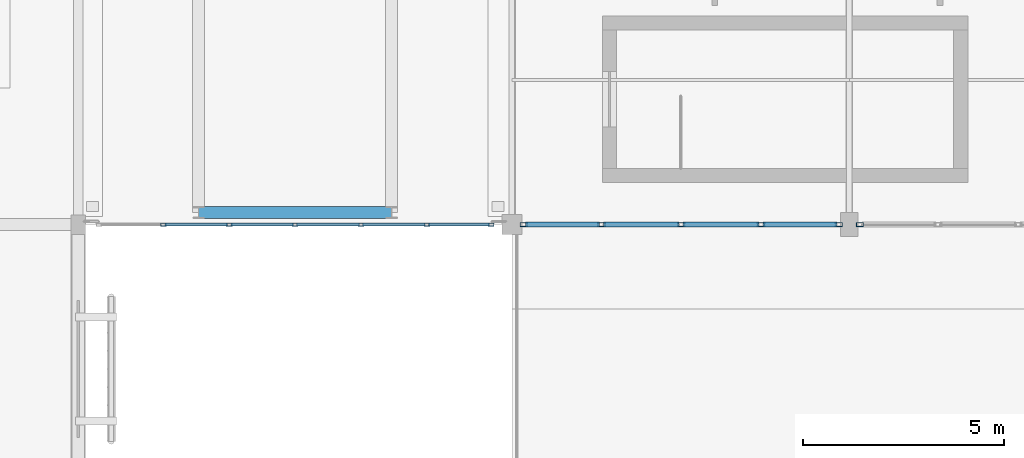
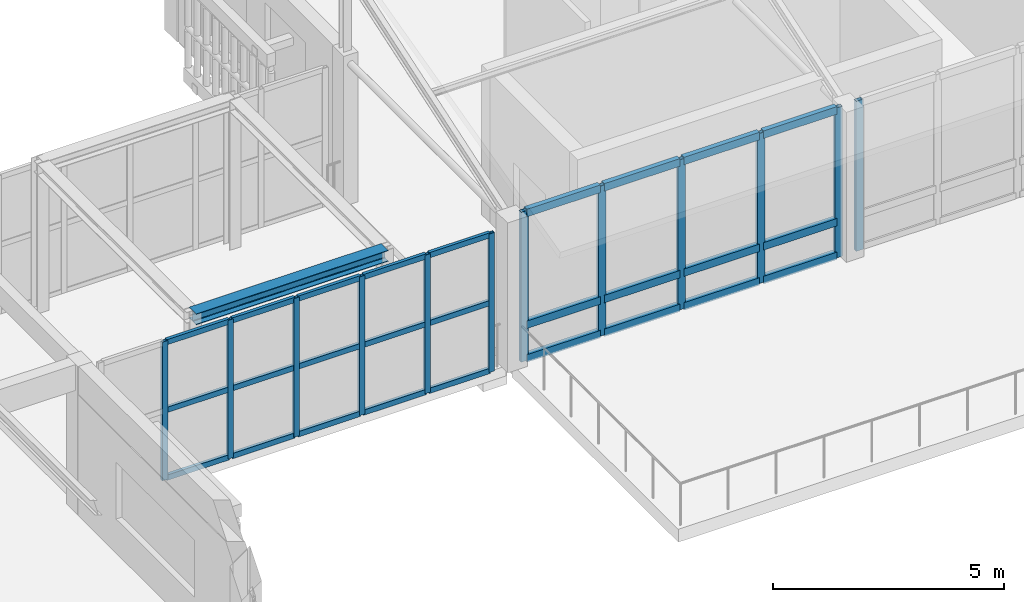
# One storey, part 18 of 112: 39 members, 1 beam, 3 elements without a shape of their own.
"""IFC4 building model written with IfcOpenShell, lengths in metres."""

from ifc_helpers import new_model, si_unit, direction, frame, origin, origin_2d, place, context, subcontext, project, spatial, hollow_rectangle, i_section, extrude, material, layer, layer_set, material_profile, profile_set, type_object, element, aggregate, save


model = new_model("IFC4")

# Units and contexts
model_context = context("Model", 3, precision=1e-05, world=origin(), true_north=direction((0.0, 1.0)))
body_context = subcontext(model_context, "Body", "Model", "MODEL_VIEW")
ifc_project = project(units=[si_unit("LENGTHUNIT", "METRE"), si_unit("AREAUNIT", "SQUARE_METRE"), si_unit("VOLUMEUNIT", "CUBIC_METRE"), si_unit("PLANEANGLEUNIT", "RADIAN"), si_unit("MASSUNIT", "GRAM", prefix="KILO")], contexts=[model_context])

# Site, building, storey
site_placement = place(None, origin())
site = spatial("IfcSite", under=ifc_project, at=site_placement, CompositionType="ELEMENT")
building_placement = place(site_placement, origin())
building = spatial("IfcBuilding", under=site, at=building_placement, Name="Mazaris Harbour Polytechnic", CompositionType="ELEMENT")
storey_placement = place(building_placement, frame((0.0, 0.0, 13.800048828125)))
storey = spatial("IfcBuildingStorey", under=building, at=storey_placement, Name="L03", CompositionType="ELEMENT", Elevation=13.800048828125)

# Curtain wall, members
ifc_material_1 = material(Name="Anodised Bronze Aluminium and Low-E Glass", Category="aluminium")
ifc_layer_1 = layer(ifc_material_1, 0.179931640625, Name="Anodised Bronze Aluminium and Low-E Glass")
ifc_layer_set_1 = layer_set([ifc_layer_1], Name="Anodised Bronze Aluminium and Low-E Glass")
curtain_wall_type_1 = type_object("IfcCurtainWallType", Name="Harbour Colonnade Curtain Wall", PredefinedType="NOTDEFINED", material=ifc_layer_set_1)
curtain_wall_1_placement = place(storey_placement, origin())
curtain_wall_1 = element("IfcCurtainWall", 1, at=curtain_wall_1_placement, inside=storey, type_object=curtain_wall_type_1, Name="V3 L03 Curtain Wall 90", PredefinedType="NOTDEFINED")
ifc_material_2 = material(Name="Anodised Bronze Steel S355", Category="steel")
ifc_material_profile_1 = material_profile(ifc_material_2, hollow_rectangle(XDim=0.10009765625, YDim=0.179931640625, WallThickness=0.008056640625, at=origin_2d()), Name="RHS 100x180x8.0")
ifc_profile_set_1 = profile_set([ifc_material_profile_1], Name="Anodised Bronze Steel S355")
member_type_1 = type_object("IfcMemberType", Name="Curtain Mullion RHS100x180", PredefinedType="MULLION", material=ifc_profile_set_1)
member_1_placement = place(storey_placement, frame((62.137939453125, 21.60009765625, 0.0), z_axis=(0.0, 0.0, 1.0), x_axis=(0.0, -1.0, 0.0)))
member_1 = element("IfcMember", 2, at=member_1_placement, type_object=member_type_1, Name="CW-01 mullion 1", PredefinedType="MULLION", context=body_context, shape_type="SweptSolid", body=[
    extrude(hollow_rectangle(XDim=0.10009765625, YDim=0.179931640625, WallThickness=0.008056640625, at=origin_2d()), origin(), (0.0, 0.0, 1.0), 3.9599609375),
])
member_2_placement = place(storey_placement, frame((60.201416015625, 21.60009765625, 0.0), z_axis=(0.0, 0.0, 1.0), x_axis=(0.0, -1.0, 0.0)))
member_2 = element("IfcMember", 3, at=member_2_placement, type_object=member_type_1, Name="CW-01 mullion 2", PredefinedType="MULLION", context=body_context, shape_type="SweptSolid", body=[
    extrude(hollow_rectangle(XDim=0.10009765625, YDim=0.179931640625, WallThickness=0.008056640625, at=origin_2d()), origin(), (0.0, 0.0, 1.0), 3.9599609375),
])
member_3_placement = place(storey_placement, frame((58.215087890625, 21.60009765625, 0.0), z_axis=(0.0, 0.0, 1.0), x_axis=(0.0, -1.0, 0.0)))
member_3 = element("IfcMember", 4, at=member_3_placement, type_object=member_type_1, Name="CW-01 mullion 3", PredefinedType="MULLION", context=body_context, shape_type="SweptSolid", body=[
    extrude(hollow_rectangle(XDim=0.10009765625, YDim=0.179931640625, WallThickness=0.008056640625, at=origin_2d()), origin(), (0.0, 0.0, 1.0), 3.9599609375),
])
member_4_placement = place(storey_placement, frame((56.228515625, 21.60009765625, 0.0), z_axis=(0.0, 0.0, 1.0), x_axis=(0.0, -1.0, 0.0)))
member_4 = element("IfcMember", 5, at=member_4_placement, type_object=member_type_1, Name="CW-01 mullion 4", PredefinedType="MULLION", context=body_context, shape_type="SweptSolid", body=[
    extrude(hollow_rectangle(XDim=0.10009765625, YDim=0.179931640625, WallThickness=0.008056640625, at=origin_2d()), origin(), (0.0, 0.0, 1.0), 3.9599609375),
])
member_5_placement = place(storey_placement, frame((54.2919921875, 21.60009765625, 0.0), z_axis=(0.0, 0.0, 1.0), x_axis=(0.0, -1.0, 0.0)))
member_5 = element("IfcMember", 6, at=member_5_placement, type_object=member_type_1, Name="CW-01 mullion 5", PredefinedType="MULLION", context=body_context, shape_type="SweptSolid", body=[
    extrude(hollow_rectangle(XDim=0.10009765625, YDim=0.179931640625, WallThickness=0.008056640625, at=origin_2d()), origin(), (0.0, 0.0, 1.0), 3.9599609375),
])

# Curtain wall, member
curtain_wall_2_placement = place(storey_placement, origin())
curtain_wall_2 = element("IfcCurtainWall", 7, at=curtain_wall_2_placement, inside=storey, type_object=curtain_wall_type_1, Name="V3 L03 Curtain Wall 91", PredefinedType="NOTDEFINED")
member_6_placement = place(storey_placement, frame((62.662109375, 21.60009765625, 0.0), z_axis=(0.0, 0.0, 1.0), x_axis=(0.0, -1.0, 0.0)))
member_6 = element("IfcMember", 8, at=member_6_placement, type_object=member_type_1, Name="CW-01 mullion 5", PredefinedType="MULLION", context=body_context, shape_type="SweptSolid", body=[
    extrude(hollow_rectangle(XDim=0.10009765625, YDim=0.179931640625, WallThickness=0.008056640625, at=origin_2d()), origin(), (0.0, 0.0, 1.0), 3.9599609375),
])
aggregate(curtain_wall_2, [member_6])

# Curtain wall, members
ifc_material_3 = material(Name="Anodised Bronze Aluminium and Low-E Glass", Category="aluminium")
ifc_layer_2 = layer(ifc_material_3, 0.139892578125, Name="Anodised Bronze Aluminium and Low-E Glass")
ifc_layer_set_2 = layer_set([ifc_layer_2], Name="Anodised Bronze Aluminium and Low-E Glass")
curtain_wall_type_2 = type_object("IfcCurtainWallType", Name="Seismic Link Bridge Glazing", PredefinedType="NOTDEFINED", material=ifc_layer_set_2)
curtain_wall_3_placement = place(storey_placement, origin())
curtain_wall_3 = element("IfcCurtainWall", 9, at=curtain_wall_3_placement, inside=storey, type_object=curtain_wall_type_2, Name="PB-W1 L03 Bridge Glazing", PredefinedType="NOTDEFINED")
ifc_material_4 = material(Name="Anodised Bronze Steel S355", Category="steel")
ifc_material_profile_2 = material_profile(ifc_material_4, hollow_rectangle(XDim=0.080078125, YDim=0.139892578125, WallThickness=0.00634765625, at=origin_2d()), Name="RHS 80x140x6.3")
ifc_profile_set_2 = profile_set([ifc_material_profile_2], Name="Anodised Bronze Steel S355")
member_type_2 = type_object("IfcMemberType", Name="Curtain Mullion RHS80x140", PredefinedType="MULLION", material=ifc_profile_set_2)
member_7_placement = place(storey_placement, frame((45.320068359375, 21.60009765625, 0.0), z_axis=(0.0, 0.0, 1.0), x_axis=(0.0, 1.0, 0.0)))
member_7 = element("IfcMember", 10, at=member_7_placement, type_object=member_type_2, Name="CW-05 mullion 2", PredefinedType="MULLION", context=body_context, shape_type="SweptSolid", body=[
    extrude(hollow_rectangle(XDim=0.080078125, YDim=0.139892578125, WallThickness=0.00634765625, at=origin_2d()), origin(), (0.0, 0.0, 1.0), 3.659912109375),
])
member_8_placement = place(storey_placement, frame((46.9599609375, 21.60009765625, 0.0), z_axis=(0.0, 0.0, 1.0), x_axis=(0.0, 1.0, 0.0)))
member_8 = element("IfcMember", 11, at=member_8_placement, type_object=member_type_2, Name="CW-05 mullion 3", PredefinedType="MULLION", context=body_context, shape_type="SweptSolid", body=[
    extrude(hollow_rectangle(XDim=0.080078125, YDim=0.139892578125, WallThickness=0.00634765625, at=origin_2d()), origin(), (0.0, 0.0, 1.0), 3.659912109375),
])
member_9_placement = place(storey_placement, frame((48.60009765625, 21.60009765625, 0.0), z_axis=(0.0, 0.0, 1.0), x_axis=(0.0, 1.0, 0.0)))
member_9 = element("IfcMember", 12, at=member_9_placement, type_object=member_type_2, Name="CW-05 mullion 4", PredefinedType="MULLION", context=body_context, shape_type="SweptSolid", body=[
    extrude(hollow_rectangle(XDim=0.080078125, YDim=0.139892578125, WallThickness=0.00634765625, at=origin_2d()), origin(), (0.0, 0.0, 1.0), 3.659912109375),
])
member_10_placement = place(storey_placement, frame((50.239990234375, 21.60009765625, 0.0), z_axis=(0.0, 0.0, 1.0), x_axis=(0.0, 1.0, 0.0)))
member_10 = element("IfcMember", 13, at=member_10_placement, type_object=member_type_2, Name="CW-05 mullion 5", PredefinedType="MULLION", context=body_context, shape_type="SweptSolid", body=[
    extrude(hollow_rectangle(XDim=0.080078125, YDim=0.139892578125, WallThickness=0.00634765625, at=origin_2d()), origin(), (0.0, 0.0, 1.0), 3.659912109375),
])
member_11_placement = place(storey_placement, frame((51.8798828125, 21.60009765625, 0.0), z_axis=(0.0, 0.0, 1.0), x_axis=(0.0, 1.0, 0.0)))
member_11 = element("IfcMember", 14, at=member_11_placement, type_object=member_type_2, Name="CW-05 mullion 6", PredefinedType="MULLION", context=body_context, shape_type="SweptSolid", body=[
    extrude(hollow_rectangle(XDim=0.080078125, YDim=0.139892578125, WallThickness=0.00634765625, at=origin_2d()), origin(), (0.0, 0.0, 1.0), 3.659912109375),
])
member_12_placement = place(storey_placement, frame((53.47998046875, 21.60009765625, 0.0), z_axis=(0.0, 0.0, 1.0), x_axis=(0.0, 1.0, 0.0)))
member_12 = element("IfcMember", 15, at=member_12_placement, type_object=member_type_2, Name="CW-05 mullion 7", PredefinedType="MULLION", context=body_context, shape_type="SweptSolid", body=[
    extrude(hollow_rectangle(XDim=0.080078125, YDim=0.139892578125, WallThickness=0.00634765625, at=origin_2d()), origin(), (0.0, 0.0, 1.0), 3.659912109375),
])

# Member
ifc_material_5 = material(Name="Anodised Bronze Steel S355", Category="steel")
ifc_material_profile_3 = material_profile(ifc_material_5, hollow_rectangle(XDim=0.1201171875, YDim=0.199951171875, WallThickness=0.008056640625, at=origin_2d()), Name="RHS 120x200x8.0")
ifc_profile_set_3 = profile_set([ifc_material_profile_3], Name="Anodised Bronze Steel S355")
member_type_3 = type_object("IfcMemberType", Name="Curtain Transom RHS120x200", PredefinedType="USERDEFINED", material=ifc_profile_set_3)
member_13_placement = place(storey_placement, frame((62.087890625, 21.60009765625, 0.06005859375), z_axis=(-1.0, 0.0, 0.0), x_axis=(0.0, -1.0, 0.0)))
member_13 = element("IfcMember", 16, at=member_13_placement, type_object=member_type_3, Name="CW-01 transom 1.1", ObjectType="TRANSOM", PredefinedType="USERDEFINED", context=body_context, shape_type="SweptSolid", body=[
    extrude(hollow_rectangle(XDim=0.1201171875, YDim=0.199951171875, WallThickness=0.008056640625, at=origin_2d()), origin(), (0.0, 0.0, 1.0), 1.83642578125),
])

member_14_placement = place(storey_placement, frame((62.087890625, 21.60009765625, 0.949951171875), z_axis=(-1.0, 0.0, 0.0), x_axis=(0.0, -1.0, 0.0)))
member_14 = element("IfcMember", 17, at=member_14_placement, type_object=member_type_3, Name="CW-01 transom 1.2", ObjectType="TRANSOM", PredefinedType="USERDEFINED", context=body_context, shape_type="SweptSolid", body=[
    extrude(hollow_rectangle(XDim=0.1201171875, YDim=0.199951171875, WallThickness=0.008056640625, at=origin_2d()), origin(), (0.0, 0.0, 1.0), 1.83642578125),
])

member_15_placement = place(storey_placement, frame((62.087890625, 21.60009765625, 3.89990234375), z_axis=(-1.0, 0.0, 0.0), x_axis=(0.0, -1.0, 0.0)))
member_15 = element("IfcMember", 18, at=member_15_placement, type_object=member_type_3, Name="CW-01 transom 1.3", ObjectType="TRANSOM", PredefinedType="USERDEFINED", context=body_context, shape_type="SweptSolid", body=[
    extrude(hollow_rectangle(XDim=0.1201171875, YDim=0.199951171875, WallThickness=0.008056640625, at=origin_2d()), origin(), (0.0, 0.0, 1.0), 1.83642578125),
])

member_16_placement = place(storey_placement, frame((60.151611328125, 21.60009765625, 0.06005859375), z_axis=(-1.0, 0.0, 0.0), x_axis=(0.0, -1.0, 0.0)))
member_16 = element("IfcMember", 19, at=member_16_placement, type_object=member_type_3, Name="CW-01 transom 2.1", ObjectType="TRANSOM", PredefinedType="USERDEFINED", context=body_context, shape_type="SweptSolid", body=[
    extrude(hollow_rectangle(XDim=0.1201171875, YDim=0.199951171875, WallThickness=0.008056640625, at=origin_2d()), origin(), (0.0, 0.0, 1.0), 1.88671875),
])

member_17_placement = place(storey_placement, frame((60.151611328125, 21.60009765625, 0.949951171875), z_axis=(-1.0, 0.0, 0.0), x_axis=(0.0, -1.0, 0.0)))
member_17 = element("IfcMember", 20, at=member_17_placement, type_object=member_type_3, Name="CW-01 transom 2.2", ObjectType="TRANSOM", PredefinedType="USERDEFINED", context=body_context, shape_type="SweptSolid", body=[
    extrude(hollow_rectangle(XDim=0.1201171875, YDim=0.199951171875, WallThickness=0.008056640625, at=origin_2d()), origin(), (0.0, 0.0, 1.0), 1.88671875),
])

member_18_placement = place(storey_placement, frame((60.151611328125, 21.60009765625, 3.89990234375), z_axis=(-1.0, 0.0, 0.0), x_axis=(0.0, -1.0, 0.0)))
member_18 = element("IfcMember", 21, at=member_18_placement, type_object=member_type_3, Name="CW-01 transom 2.3", ObjectType="TRANSOM", PredefinedType="USERDEFINED", context=body_context, shape_type="SweptSolid", body=[
    extrude(hollow_rectangle(XDim=0.1201171875, YDim=0.199951171875, WallThickness=0.008056640625, at=origin_2d()), origin(), (0.0, 0.0, 1.0), 1.88671875),
])

member_19_placement = place(storey_placement, frame((58.1650390625, 21.60009765625, 0.06005859375), z_axis=(-1.0, 0.0, 0.0), x_axis=(0.0, -1.0, 0.0)))
member_19 = element("IfcMember", 22, at=member_19_placement, type_object=member_type_3, Name="CW-01 transom 3.1", ObjectType="TRANSOM", PredefinedType="USERDEFINED", context=body_context, shape_type="SweptSolid", body=[
    extrude(hollow_rectangle(XDim=0.1201171875, YDim=0.199951171875, WallThickness=0.008056640625, at=origin_2d()), origin(), (0.0, 0.0, 1.0), 1.886474609375),
])

member_20_placement = place(storey_placement, frame((58.1650390625, 21.60009765625, 0.949951171875), z_axis=(-1.0, 0.0, 0.0), x_axis=(0.0, -1.0, 0.0)))
member_20 = element("IfcMember", 23, at=member_20_placement, type_object=member_type_3, Name="CW-01 transom 3.2", ObjectType="TRANSOM", PredefinedType="USERDEFINED", context=body_context, shape_type="SweptSolid", body=[
    extrude(hollow_rectangle(XDim=0.1201171875, YDim=0.199951171875, WallThickness=0.008056640625, at=origin_2d()), origin(), (0.0, 0.0, 1.0), 1.886474609375),
])

member_21_placement = place(storey_placement, frame((58.1650390625, 21.60009765625, 3.89990234375), z_axis=(-1.0, 0.0, 0.0), x_axis=(0.0, -1.0, 0.0)))
member_21 = element("IfcMember", 24, at=member_21_placement, type_object=member_type_3, Name="CW-01 transom 3.3", ObjectType="TRANSOM", PredefinedType="USERDEFINED", context=body_context, shape_type="SweptSolid", body=[
    extrude(hollow_rectangle(XDim=0.1201171875, YDim=0.199951171875, WallThickness=0.008056640625, at=origin_2d()), origin(), (0.0, 0.0, 1.0), 1.886474609375),
])

member_22_placement = place(storey_placement, frame((56.178466796875, 21.60009765625, 0.06005859375), z_axis=(-1.0, 0.0, 0.0), x_axis=(0.0, -1.0, 0.0)))
member_22 = element("IfcMember", 25, at=member_22_placement, type_object=member_type_3, Name="CW-01 transom 4.1", ObjectType="TRANSOM", PredefinedType="USERDEFINED", context=body_context, shape_type="SweptSolid", body=[
    extrude(hollow_rectangle(XDim=0.1201171875, YDim=0.199951171875, WallThickness=0.008056640625, at=origin_2d()), origin(), (0.0, 0.0, 1.0), 1.83642578125),
])

member_23_placement = place(storey_placement, frame((56.178466796875, 21.60009765625, 0.949951171875), z_axis=(-1.0, 0.0, 0.0), x_axis=(0.0, -1.0, 0.0)))
member_23 = element("IfcMember", 26, at=member_23_placement, type_object=member_type_3, Name="CW-01 transom 4.2", ObjectType="TRANSOM", PredefinedType="USERDEFINED", context=body_context, shape_type="SweptSolid", body=[
    extrude(hollow_rectangle(XDim=0.1201171875, YDim=0.199951171875, WallThickness=0.008056640625, at=origin_2d()), origin(), (0.0, 0.0, 1.0), 1.83642578125),
])

member_24_placement = place(storey_placement, frame((56.178466796875, 21.60009765625, 3.89990234375), z_axis=(-1.0, 0.0, 0.0), x_axis=(0.0, -1.0, 0.0)))
member_24 = element("IfcMember", 27, at=member_24_placement, type_object=member_type_3, Name="CW-01 transom 4.3", ObjectType="TRANSOM", PredefinedType="USERDEFINED", context=body_context, shape_type="SweptSolid", body=[
    extrude(hollow_rectangle(XDim=0.1201171875, YDim=0.199951171875, WallThickness=0.008056640625, at=origin_2d()), origin(), (0.0, 0.0, 1.0), 1.83642578125),
])

aggregate(curtain_wall_1, [member_1, member_2, member_3, member_4, member_5, member_13, member_14, member_15, member_16, member_17, member_18, member_19, member_20, member_21, member_22, member_23, member_24])

ifc_material_6 = material(Name="Anodised Bronze Steel S355", Category="steel")
ifc_material_profile_4 = material_profile(ifc_material_6, hollow_rectangle(XDim=0.080078125, YDim=0.139892578125, WallThickness=0.00634765625, at=origin_2d()), Name="RHS 80x140x6.3")
ifc_profile_set_4 = profile_set([ifc_material_profile_4], Name="Anodised Bronze Steel S355")
member_type_4 = type_object("IfcMemberType", Name="Curtain Transom RHS80x140", PredefinedType="USERDEFINED", material=ifc_profile_set_4)
member_25_placement = place(storey_placement, frame((45.360107421875, 21.60009765625, 0.0400390625), z_axis=(1.0, 0.0, 0.0), x_axis=(0.0, 1.0, 0.0)))
member_25 = element("IfcMember", 28, at=member_25_placement, type_object=member_type_4, Name="CW-05 transom 2.1", ObjectType="TRANSOM", PredefinedType="USERDEFINED", context=body_context, shape_type="SweptSolid", body=[
    extrude(hollow_rectangle(XDim=0.080078125, YDim=0.139892578125, WallThickness=0.00634765625, at=origin_2d()), origin(), (0.0, 0.0, 1.0), 1.559814453125),
])

member_26_placement = place(storey_placement, frame((45.360107421875, 21.60009765625, 1.829833984375), z_axis=(1.0, 0.0, 0.0), x_axis=(0.0, 1.0, 0.0)))
member_26 = element("IfcMember", 29, at=member_26_placement, type_object=member_type_4, Name="CW-05 transom 2.2", ObjectType="TRANSOM", PredefinedType="USERDEFINED", context=body_context, shape_type="SweptSolid", body=[
    extrude(hollow_rectangle(XDim=0.080078125, YDim=0.139892578125, WallThickness=0.00634765625, at=origin_2d()), origin(), (0.0, 0.0, 1.0), 1.559814453125),
])

member_27_placement = place(storey_placement, frame((45.360107421875, 21.60009765625, 3.619873046875), z_axis=(1.0, 0.0, 0.0), x_axis=(0.0, 1.0, 0.0)))
member_27 = element("IfcMember", 30, at=member_27_placement, type_object=member_type_4, Name="CW-05 transom 2.3", ObjectType="TRANSOM", PredefinedType="USERDEFINED", context=body_context, shape_type="SweptSolid", body=[
    extrude(hollow_rectangle(XDim=0.080078125, YDim=0.139892578125, WallThickness=0.00634765625, at=origin_2d()), origin(), (0.0, 0.0, 1.0), 1.559814453125),
])

member_28_placement = place(storey_placement, frame((47.0, 21.60009765625, 0.0400390625), z_axis=(1.0, 0.0, 0.0), x_axis=(0.0, 1.0, 0.0)))
member_28 = element("IfcMember", 31, at=member_28_placement, type_object=member_type_4, Name="CW-05 transom 3.1", ObjectType="TRANSOM", PredefinedType="USERDEFINED", context=body_context, shape_type="SweptSolid", body=[
    extrude(hollow_rectangle(XDim=0.080078125, YDim=0.139892578125, WallThickness=0.00634765625, at=origin_2d()), origin(), (0.0, 0.0, 1.0), 1.56005859375),
])

member_29_placement = place(storey_placement, frame((47.0, 21.60009765625, 1.829833984375), z_axis=(1.0, 0.0, 0.0), x_axis=(0.0, 1.0, 0.0)))
member_29 = element("IfcMember", 32, at=member_29_placement, type_object=member_type_4, Name="CW-05 transom 3.2", ObjectType="TRANSOM", PredefinedType="USERDEFINED", context=body_context, shape_type="SweptSolid", body=[
    extrude(hollow_rectangle(XDim=0.080078125, YDim=0.139892578125, WallThickness=0.00634765625, at=origin_2d()), origin(), (0.0, 0.0, 1.0), 1.56005859375),
])

member_30_placement = place(storey_placement, frame((47.0, 21.60009765625, 3.619873046875), z_axis=(1.0, 0.0, 0.0), x_axis=(0.0, 1.0, 0.0)))
member_30 = element("IfcMember", 33, at=member_30_placement, type_object=member_type_4, Name="CW-05 transom 3.3", ObjectType="TRANSOM", PredefinedType="USERDEFINED", context=body_context, shape_type="SweptSolid", body=[
    extrude(hollow_rectangle(XDim=0.080078125, YDim=0.139892578125, WallThickness=0.00634765625, at=origin_2d()), origin(), (0.0, 0.0, 1.0), 1.56005859375),
])

member_31_placement = place(storey_placement, frame((48.639892578125, 21.60009765625, 0.0400390625), z_axis=(1.0, 0.0, 0.0), x_axis=(0.0, 1.0, 0.0)))
member_31 = element("IfcMember", 34, at=member_31_placement, type_object=member_type_4, Name="CW-05 transom 4.1", ObjectType="TRANSOM", PredefinedType="USERDEFINED", context=body_context, shape_type="SweptSolid", body=[
    extrude(hollow_rectangle(XDim=0.080078125, YDim=0.139892578125, WallThickness=0.00634765625, at=origin_2d()), origin(), (0.0, 0.0, 1.0), 1.56005859375),
])

member_32_placement = place(storey_placement, frame((48.639892578125, 21.60009765625, 1.829833984375), z_axis=(1.0, 0.0, 0.0), x_axis=(0.0, 1.0, 0.0)))
member_32 = element("IfcMember", 35, at=member_32_placement, type_object=member_type_4, Name="CW-05 transom 4.2", ObjectType="TRANSOM", PredefinedType="USERDEFINED", context=body_context, shape_type="SweptSolid", body=[
    extrude(hollow_rectangle(XDim=0.080078125, YDim=0.139892578125, WallThickness=0.00634765625, at=origin_2d()), origin(), (0.0, 0.0, 1.0), 1.56005859375),
])

member_33_placement = place(storey_placement, frame((48.639892578125, 21.60009765625, 3.619873046875), z_axis=(1.0, 0.0, 0.0), x_axis=(0.0, 1.0, 0.0)))
member_33 = element("IfcMember", 36, at=member_33_placement, type_object=member_type_4, Name="CW-05 transom 4.3", ObjectType="TRANSOM", PredefinedType="USERDEFINED", context=body_context, shape_type="SweptSolid", body=[
    extrude(hollow_rectangle(XDim=0.080078125, YDim=0.139892578125, WallThickness=0.00634765625, at=origin_2d()), origin(), (0.0, 0.0, 1.0), 1.56005859375),
])

member_34_placement = place(storey_placement, frame((50.280029296875, 21.60009765625, 0.0400390625), z_axis=(1.0, 0.0, 0.0), x_axis=(0.0, 1.0, 0.0)))
member_34 = element("IfcMember", 37, at=member_34_placement, type_object=member_type_4, Name="CW-05 transom 5.1", ObjectType="TRANSOM", PredefinedType="USERDEFINED", context=body_context, shape_type="SweptSolid", body=[
    extrude(hollow_rectangle(XDim=0.080078125, YDim=0.139892578125, WallThickness=0.00634765625, at=origin_2d()), origin(), (0.0, 0.0, 1.0), 1.56005859375),
])

member_35_placement = place(storey_placement, frame((50.280029296875, 21.60009765625, 1.829833984375), z_axis=(1.0, 0.0, 0.0), x_axis=(0.0, 1.0, 0.0)))
member_35 = element("IfcMember", 38, at=member_35_placement, type_object=member_type_4, Name="CW-05 transom 5.2", ObjectType="TRANSOM", PredefinedType="USERDEFINED", context=body_context, shape_type="SweptSolid", body=[
    extrude(hollow_rectangle(XDim=0.080078125, YDim=0.139892578125, WallThickness=0.00634765625, at=origin_2d()), origin(), (0.0, 0.0, 1.0), 1.56005859375),
])

member_36_placement = place(storey_placement, frame((50.280029296875, 21.60009765625, 3.619873046875), z_axis=(1.0, 0.0, 0.0), x_axis=(0.0, 1.0, 0.0)))
member_36 = element("IfcMember", 39, at=member_36_placement, type_object=member_type_4, Name="CW-05 transom 5.3", ObjectType="TRANSOM", PredefinedType="USERDEFINED", context=body_context, shape_type="SweptSolid", body=[
    extrude(hollow_rectangle(XDim=0.080078125, YDim=0.139892578125, WallThickness=0.00634765625, at=origin_2d()), origin(), (0.0, 0.0, 1.0), 1.56005859375),
])

member_37_placement = place(storey_placement, frame((51.919921875, 21.60009765625, 0.0400390625), z_axis=(1.0, 0.0, 0.0), x_axis=(0.0, 1.0, 0.0)))
member_37 = element("IfcMember", 40, at=member_37_placement, type_object=member_type_4, Name="CW-05 transom 6.1", ObjectType="TRANSOM", PredefinedType="USERDEFINED", context=body_context, shape_type="SweptSolid", body=[
    extrude(hollow_rectangle(XDim=0.080078125, YDim=0.139892578125, WallThickness=0.00634765625, at=origin_2d()), origin(), (0.0, 0.0, 1.0), 1.52001953125),
])

member_38_placement = place(storey_placement, frame((51.919921875, 21.60009765625, 1.829833984375), z_axis=(1.0, 0.0, 0.0), x_axis=(0.0, 1.0, 0.0)))
member_38 = element("IfcMember", 41, at=member_38_placement, type_object=member_type_4, Name="CW-05 transom 6.2", ObjectType="TRANSOM", PredefinedType="USERDEFINED", context=body_context, shape_type="SweptSolid", body=[
    extrude(hollow_rectangle(XDim=0.080078125, YDim=0.139892578125, WallThickness=0.00634765625, at=origin_2d()), origin(), (0.0, 0.0, 1.0), 1.52001953125),
])

member_39_placement = place(storey_placement, frame((51.919921875, 21.60009765625, 3.619873046875), z_axis=(1.0, 0.0, 0.0), x_axis=(0.0, 1.0, 0.0)))
member_39 = element("IfcMember", 42, at=member_39_placement, type_object=member_type_4, Name="CW-05 transom 6.3", ObjectType="TRANSOM", PredefinedType="USERDEFINED", context=body_context, shape_type="SweptSolid", body=[
    extrude(hollow_rectangle(XDim=0.080078125, YDim=0.139892578125, WallThickness=0.00634765625, at=origin_2d()), origin(), (0.0, 0.0, 1.0), 1.52001953125),
])

aggregate(curtain_wall_3, [member_7, member_8, member_9, member_10, member_11, member_12, member_25, member_26, member_27, member_28, member_29, member_30, member_31, member_32, member_33, member_34, member_35, member_36, member_37, member_38, member_39])

# Beam
ifc_material_7 = material(Name="Steel S355", Category="steel")
ifc_material_profile_5 = material_profile(ifc_material_7, i_section(OverallWidth=0.300048828125, OverallDepth=0.2900390625, WebThickness=0.008544921875, FlangeThickness=0.013916015625, FilletRadius=0.027099609375, at=origin_2d()), Name="HEA 300")
ifc_profile_set_5 = profile_set([ifc_material_profile_5], Name="Steel S355")
beam_type = type_object("IfcBeamType", Name="Steel Beam HEA300 Exterior", PredefinedType="SPANDREL", material=ifc_profile_set_5)
beam_placement = place(storey_placement, frame((46.199951171875, 21.89990234375, 3.81494140625), z_axis=(1.0, 0.0, 0.0), x_axis=(0.0, 1.0, 0.0)))
element("IfcBeam", 43, at=beam_placement, inside=storey, type_object=beam_type, Name="PB-W1 L03 Bridge Beam 3415", PredefinedType="SPANDREL", context=body_context, shape_type="SweptSolid", body=[
    extrude(i_section(OverallWidth=0.300048828125, OverallDepth=0.2900390625, WebThickness=0.008544921875, FlangeThickness=0.013916015625, FilletRadius=0.027099609375, at=origin_2d()), origin(), (0.0, 0.0, 1.0), 4.800048828125),
])

save(model, "model.ifc")
